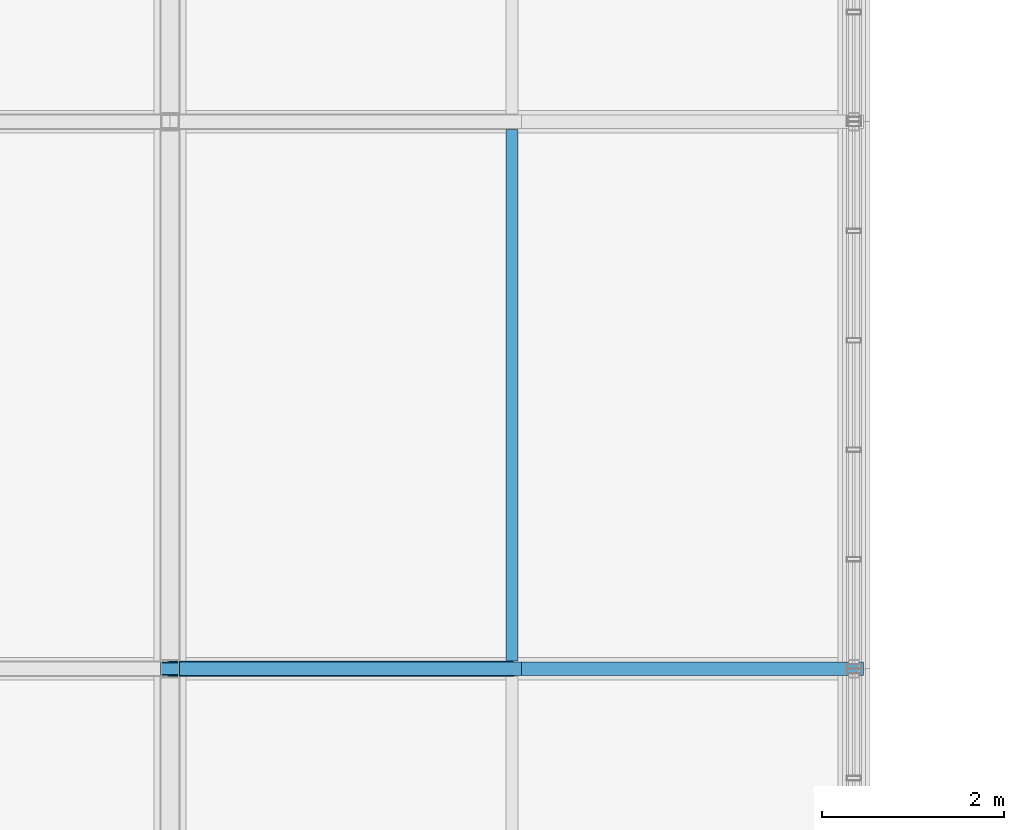
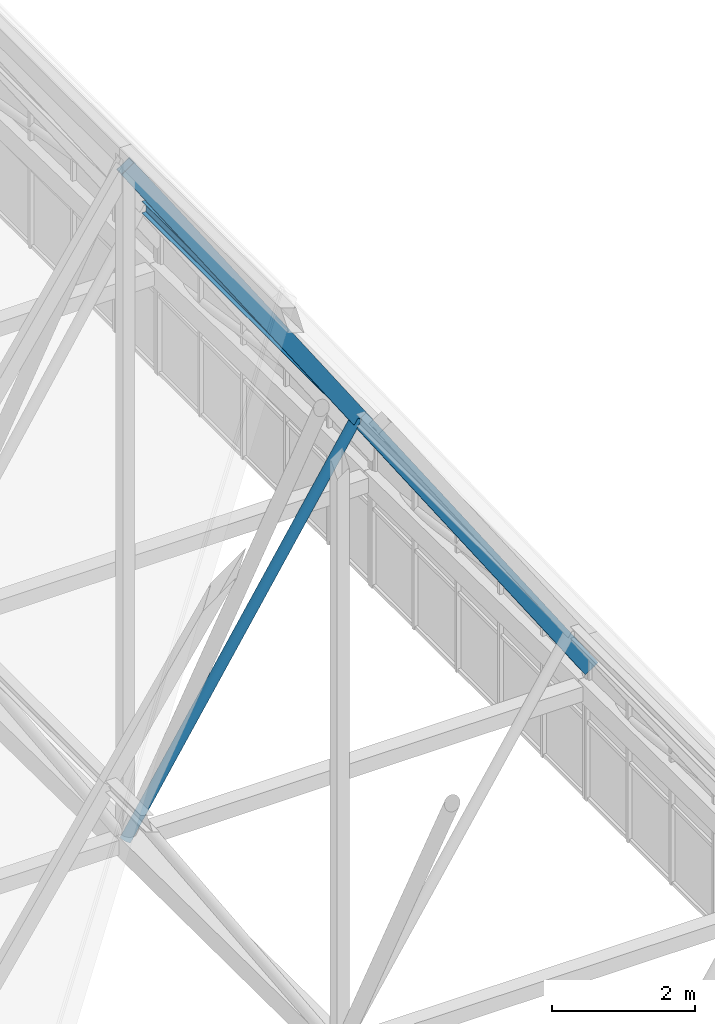
# One storey, part 233 of 324: 3 members, 1 beam.
"""IFC4 building model written with IfcOpenShell, lengths in metres."""

from ifc_helpers import new_model, si_unit, direction, frame, origin, origin_2d, place, context, subcontext, project, spatial, hollow_rectangle, hollow_circle, i_section, extrude, material, material_profile, profile_set, type_object, element, save


model = new_model("IFC4")

# Units and contexts
model_context = context("Model", 3, precision=1e-05, world=origin(), true_north=direction((0.0, 1.0)))
body_context = subcontext(model_context, "Body", "Model", "MODEL_VIEW")
ifc_project = project(units=[si_unit("LENGTHUNIT", "METRE"), si_unit("AREAUNIT", "SQUARE_METRE"), si_unit("VOLUMEUNIT", "CUBIC_METRE"), si_unit("PLANEANGLEUNIT", "RADIAN"), si_unit("MASSUNIT", "GRAM", prefix="KILO")], contexts=[model_context])

# Site, building, storey
site_placement = place(None, origin())
site = spatial("IfcSite", under=ifc_project, at=site_placement, CompositionType="ELEMENT")
building_placement = place(site_placement, origin())
building = spatial("IfcBuilding", under=site, at=building_placement, Name="Solvenia Promenade Tram Depot", CompositionType="ELEMENT")
storey_placement = place(building_placement, frame((0.0, 0.0, 4.5)))
storey = spatial("IfcBuildingStorey", under=building, at=storey_placement, Name="L01", CompositionType="ELEMENT", Elevation=4.5)

# Members
ifc_material_1 = material(Name="Structural steel ASTM A500 Gr. C", Category="steel")
ifc_material_profile_1 = material_profile(ifc_material_1, hollow_rectangle(XDim=0.14990234375, YDim=0.25, WallThickness=0.010009765625, at=origin_2d()), Name="HSS250x150x10", Category="steel")
ifc_profile_set_1 = profile_set([ifc_material_profile_1], Name="Structural steel ASTM A500 Gr. C")
member_type_1 = type_object("IfcMemberType", Name="Chord-HSS250x150x10", PredefinedType="CHORD", material=ifc_profile_set_1)
for number, where, z_axis, x_axis, name in (
    (1, (142.5, 108.0, 14.132080078125), (0.557259486914, 0.0, -0.83033840345), (0.0, 1.0, 0.0), "Zigzag Gable 10 East Upper Rafter"),
    (2, (146.25, 108.0, 8.54443359375), (0.557276274528, 0.0, -0.830327136644), (0.0, 1.0, 0.0), "Zigzag Gable 10 East Lower Rafter"),
):
    element("IfcMember", number, at=place(storey_placement, frame(where, z_axis=z_axis, x_axis=x_axis)), inside=storey, type_object=member_type_1, Name=name, PredefinedType="CHORD", context=body_context, shape_type="SweptSolid", body=[
        extrude(hollow_rectangle(XDim=0.14990234375, YDim=0.25, WallThickness=0.010009765625, at=origin_2d()), origin(), (0.0, 0.0, 1.0), 6.729248046875),
    ])

# Beam
ifc_material_2 = material(Name="Structural steel ASTM A992 Gr. 50", Category="steel")
ifc_material_profile_2 = material_profile(ifc_material_2, i_section(OverallWidth=0.133056640625, OverallDepth=0.20703125, WebThickness=0.005859375, FlangeThickness=0.00830078125, FilletRadius=0.009033203125, at=origin_2d()), Name="W200x27", Category="steel")
ifc_profile_set_2 = profile_set([ifc_material_profile_2], Name="Structural steel ASTM A992 Gr. 50")
beam_type = type_object("IfcBeamType", Name="Purlin-W200x27", PredefinedType="USERDEFINED", material=ifc_profile_set_2)
beam_placement = place(storey_placement, frame((146.25, 108.0849609375, 8.551025390625), z_axis=(0.0, 1.0, 0.0), x_axis=(-1.0, 0.0, 0.0)))
element("IfcBeam", 3, at=beam_placement, inside=storey, type_object=beam_type, Name="Gable Roof Purlin E-0196", ObjectType="PURLIN", PredefinedType="USERDEFINED", context=body_context, shape_type="SweptSolid", body=[
    extrude(i_section(OverallWidth=0.133056640625, OverallDepth=0.20703125, WebThickness=0.005859375, FlangeThickness=0.00830078125, FilletRadius=0.009033203125, at=origin_2d()), origin(), (0.0, 0.0, 1.0), 5.830078125),
])

# Member
ifc_material_profile_3 = material_profile(ifc_material_1, hollow_circle(Radius=0.084228515625, WallThickness=0.008056640625, at=origin_2d()), Name="CHS168.3x8", Category="steel")
ifc_profile_set_3 = profile_set([ifc_material_profile_3], Name="Structural steel ASTM A500 Gr. C")
member_type_2 = type_object("IfcMemberType", Name="WebDiag-CHS168x8", PredefinedType="BRACE", material=ifc_profile_set_3)
member_placement = place(storey_placement, frame((142.5, 108.0, 2.614013671875), z_axis=(0.534448484902, 0.0, 0.845201051221), x_axis=(0.0, 1.0, 0.0)))
element("IfcMember", 4, at=member_placement, inside=storey, type_object=member_type_2, Name="Zigzag Gable 10 East Knee Strut", PredefinedType="BRACE", context=body_context, shape_type="SweptSolid", body=[
    extrude(hollow_circle(Radius=0.084228515625, WallThickness=0.008056640625, at=origin_2d()), origin(), (0.0, 0.0, 1.0), 7.0166015625),
])

save(model, "model.ifc")
